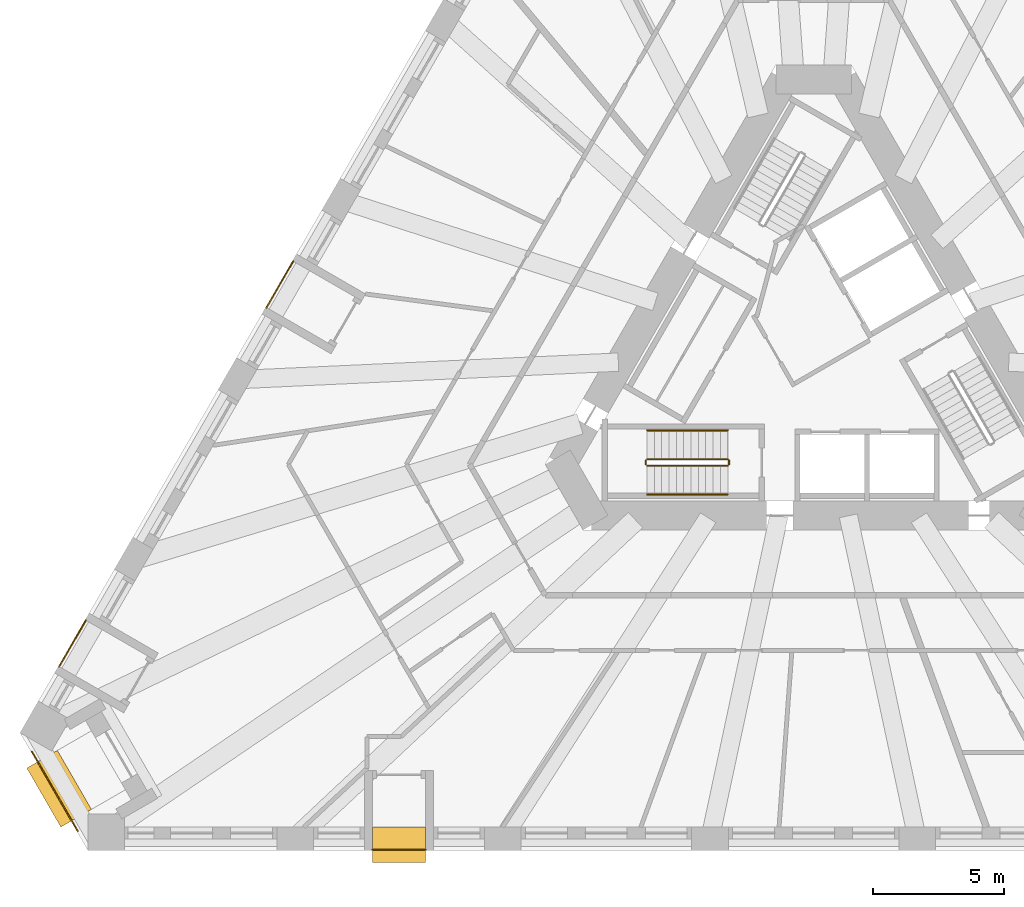
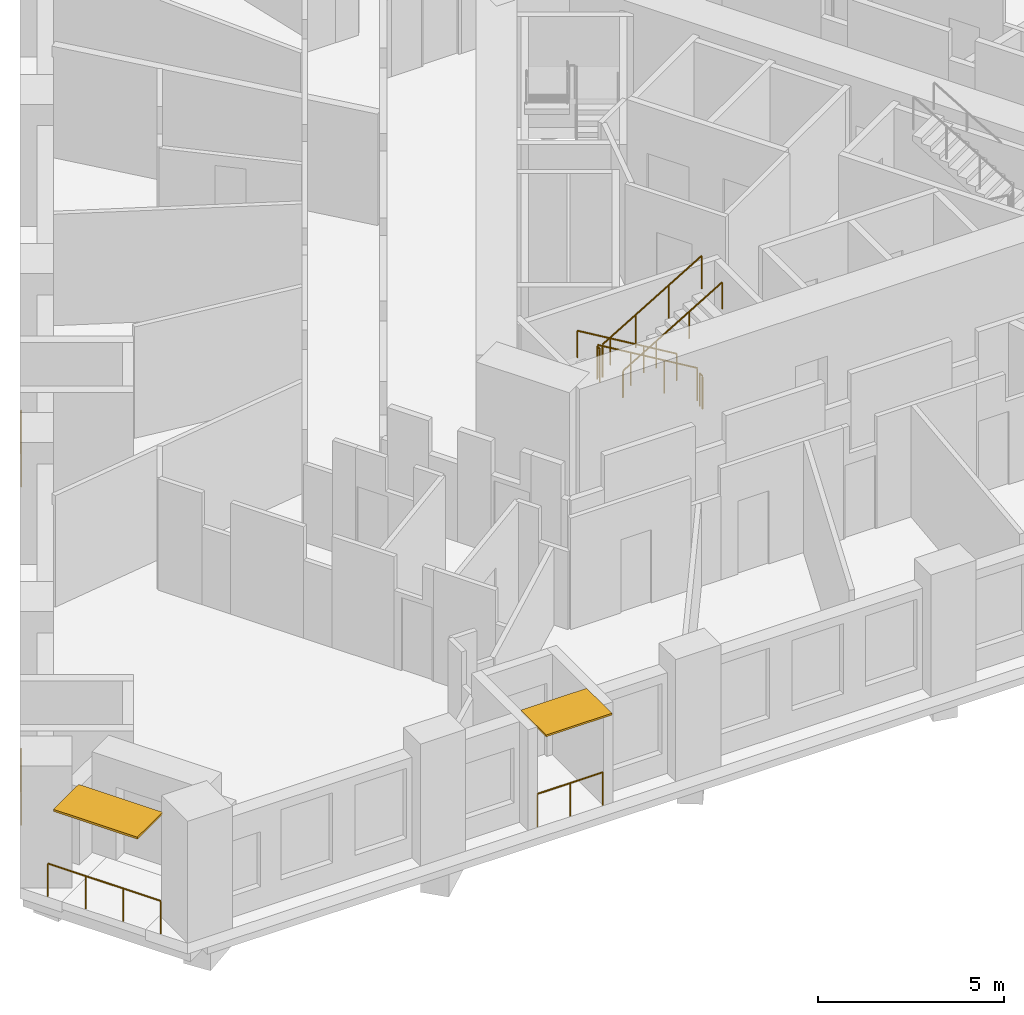
# One storey, part 11 of 14: 10 railings, 2 shading devices.
"""IFC4 building model written with IfcOpenShell, lengths in metres."""

from ifc_helpers import new_model, si_unit, direction, frame, origin, origin_2d, place, context, subcontext, project, spatial, rectangle, circle, extrude, material, layer, layer_set, type_object, element, save


model = new_model("IFC4")

# Units and contexts
model_context = context("Model", 3, precision=1e-05, world=origin(), true_north=direction((0.0, 1.0)))
body_context = subcontext(model_context, "Body", "Model", "MODEL_VIEW")
ifc_project = project(units=[si_unit("LENGTHUNIT", "METRE"), si_unit("AREAUNIT", "SQUARE_METRE"), si_unit("VOLUMEUNIT", "CUBIC_METRE"), si_unit("PLANEANGLEUNIT", "RADIAN"), si_unit("MASSUNIT", "GRAM", prefix="KILO")], contexts=[model_context])

# Site, building, storey
site_placement = place(None, origin())
site = spatial("IfcSite", under=ifc_project, at=site_placement, CompositionType="ELEMENT")
building_placement = place(site_placement, origin())
building = spatial("IfcBuilding", under=site, at=building_placement, Name="Tramontana Tower", CompositionType="ELEMENT")
storey_placement = place(building_placement, frame((0.0, 0.0, 38.0)))
storey = spatial("IfcBuildingStorey", under=building, at=storey_placement, Name="L07", CompositionType="ELEMENT", Elevation=38.0)

# Railings
ifc_material_1 = material(Name="Laminated glass balustrade", Category="glass")
railing_type_1 = type_object("IfcRailingType", Name="GD1 Loggia glass balustrade 1100", PredefinedType="BALUSTRADE", material=ifc_material_1)
for number, where, name in (
    (1, (-19.877685546875, 3.510986328125, 0.0), "Loggia balustrade L07 G0S0.13"),
    (2, (-27.795654296875, -10.203369140625, 0.0), "Loggia balustrade L07 G0S0.19"),
):
    element("IfcRailing", number, at=place(storey_placement, frame(where)), inside=storey, type_object=railing_type_1, Name=name, PredefinedType="BALUSTRADE", context=body_context, shape_type="SweptSolid", body=[
        extrude(circle(Radius=0.02392578125, at=origin_2d()), frame((0.0, 0.0, 1.076171875), z_axis=(-0.499950448838, -0.866054010271, 0.0), x_axis=(0.866054010271, -0.499950448838, 0.0)), (0.0, 0.0, 1.0), 2.039306640625),
        extrude(circle(Radius=0.02099609375, at=origin_2d()), origin(), (0.0, 0.0, 1.0), 1.052001953125),
        extrude(circle(Radius=0.02099609375, at=origin_2d()), frame((-0.509765625, -0.883056640625, 0.0)), (0.0, 0.0, 1.0), 1.052001953125),
        extrude(circle(Radius=0.02099609375, at=origin_2d()), frame((-1.01953125, -1.76611328125, 0.0)), (0.0, 0.0, 1.0), 1.052001953125),
    ])
railing_1_placement = place(storey_placement, frame((-16.85546875, -18.969970703125, 0.0)))
element("IfcRailing", 3, at=railing_1_placement, inside=storey, type_object=railing_type_1, Name="Loggia balustrade L07 G0S1.4", PredefinedType="BALUSTRADE", context=body_context, shape_type="SweptSolid", body=[
    extrude(circle(Radius=0.02392578125, at=origin_2d()), frame((0.0, 0.0, 1.076171875), z_axis=(1.0, 0.0, 0.0), x_axis=(0.0, 1.0, 0.0)), (0.0, 0.0, 1.0), 2.039306640625),
    extrude(circle(Radius=0.02099609375, at=origin_2d()), origin(), (0.0, 0.0, 1.0), 1.052001953125),
    extrude(circle(Radius=0.02099609375, at=origin_2d()), frame((1.01953125, 0.0, 0.0)), (0.0, 0.0, 1.0), 1.052001953125),
    extrude(circle(Radius=0.02099609375, at=origin_2d()), frame((2.039306640625, 0.0, 0.0)), (0.0, 0.0, 1.0), 1.052001953125),
])
railing_2_placement = place(storey_placement, frame((-28.11083984375, -18.25048828125, 0.0)))
element("IfcRailing", 4, at=railing_2_placement, inside=storey, type_object=railing_type_1, Name="Corner loggia balustrade L07 K01", PredefinedType="BALUSTRADE", context=body_context, shape_type="SweptSolid", body=[
    extrude(circle(Radius=0.02392578125, at=origin_2d()), frame((0.0, 0.0, 1.076171875), z_axis=(-0.500010275428, 0.866019471182, 0.0), x_axis=(-0.866019471182, -0.500010275428, 0.0)), (0.0, 0.0, 1.0), 3.5),
    extrude(circle(Radius=0.02099609375, at=origin_2d()), origin(), (0.0, 0.0, 1.0), 1.052001953125),
    extrude(circle(Radius=0.02099609375, at=origin_2d()), frame((-0.583251953125, 1.01025390625, 0.0)), (0.0, 0.0, 1.0), 1.052001953125),
    extrude(circle(Radius=0.02099609375, at=origin_2d()), frame((-1.166748046875, 2.020751953125, 0.0)), (0.0, 0.0, 1.0), 1.052001953125),
    extrude(circle(Radius=0.02099609375, at=origin_2d()), frame((-1.75, 3.031005859375, 0.0)), (0.0, 0.0, 1.0), 1.052001953125),
])

# Shading devices
ifc_material_2 = material(Name="Precast concrete 60 MPa", Category="concrete")
ifc_layer_1 = layer(ifc_material_2, 0.06005859375)
ifc_layer_set_1 = layer_set([ifc_layer_1], Name="SS1 Stone sunshade blade 60")
shading_device_type_1 = type_object("IfcShadingDeviceType", Name="SS1 Stone sunshade blade 60", PredefinedType="USERDEFINED", material=ifc_layer_set_1)
shading_device_1_placement = place(storey_placement, frame((-15.8359375, -18.77490234375, 3.239990234375), z_axis=(0.0, 0.0, 1.0), x_axis=(1.0, 0.0, 0.0)))
element("IfcShadingDevice", 5, at=shading_device_1_placement, inside=storey, type_object=shading_device_type_1, Name="Sunshade L07 G0S1.4", ObjectType="SUNSHADE", PredefinedType="USERDEFINED", context=body_context, shape_type="SweptSolid", body=[
    extrude(rectangle(XDim=2.039306640625, YDim=1.35009765625, at=origin_2d()), origin(), (0.0, 0.0, 1.0), 0.06005859375),
])
ifc_material_3 = material(Name="Precast concrete 60 MPa", Category="concrete")
ifc_layer_2 = layer(ifc_material_3, 0.070068359375)
ifc_layer_set_2 = layer_set([ifc_layer_2], Name="SS2 Stone sunshade blade 70")
shading_device_type_2 = type_object("IfcShadingDeviceType", Name="SS2 Stone sunshade blade 70", PredefinedType="USERDEFINED", material=ifc_layer_set_2)
shading_device_2_placement = place(storey_placement, frame((-28.81689453125, -16.637451171875, 3.22998046875), z_axis=(0.0, 0.0, 1.0), x_axis=(-0.5, 0.866025403784, 0.0)))
element("IfcShadingDevice", 6, at=shading_device_2_placement, inside=storey, type_object=shading_device_type_2, Name="Corner sunshade L07 K01", ObjectType="SUNSHADE", PredefinedType="USERDEFINED", context=body_context, shape_type="SweptSolid", body=[
    extrude(rectangle(XDim=2.60009765625, YDim=1.35009765625, at=origin_2d()), origin(), (0.0, 0.0, 1.0), 0.070068359375),
])

# Railings
ifc_material_4 = material(Name="Painted steel", Category="steel")
railing_type_2 = type_object("IfcRailingType", Name="STAIR GUARD 1100", PredefinedType="GUARDRAIL", material=ifc_material_4)
railing_3_placement = place(storey_placement, frame((-3.280029296875, -4.050048828125, 0.166748046875)))
element("IfcRailing", 7, at=railing_3_placement, inside=storey, type_object=railing_type_2, Name="L07 ST2 stair guard 1", PredefinedType="GUARDRAIL", context=body_context, shape_type="SweptSolid", body=[
    extrude(circle(Radius=0.02392578125, at=origin_2d()), frame((0.0, 0.0, 1.076171875), z_axis=(-0.859308565015, 0.0, 0.511457515432), x_axis=(0.0, -1.0, 0.0)), (0.0, 0.0, 1.0), 3.58447265625),
    extrude(circle(Radius=0.02099609375, at=origin_2d()), origin(), (0.0, 0.0, 1.0), 1.052001953125),
    extrude(circle(Radius=0.02099609375, at=origin_2d()), frame((-1.026611328125, 0.0, 0.611083984375)), (0.0, 0.0, 1.0), 1.052001953125),
    extrude(circle(Radius=0.02099609375, at=origin_2d()), frame((-2.053466796875, 0.0, 1.22216796875)), (0.0, 0.0, 1.0), 1.052001953125),
    extrude(circle(Radius=0.02099609375, at=origin_2d()), frame((-3.080078125, 0.0, 1.833251953125)), (0.0, 0.0, 1.0), 1.052001953125),
])
railing_4_placement = place(storey_placement, frame((-6.360107421875, -4.300048828125, 2.166748046875)))
element("IfcRailing", 8, at=railing_4_placement, inside=storey, type_object=railing_type_2, Name="L07 ST2 stair guard 2", PredefinedType="GUARDRAIL", context=body_context, shape_type="SweptSolid", body=[
    extrude(circle(Radius=0.02392578125, at=origin_2d()), frame((0.0, 0.0, 1.076171875), z_axis=(0.859308565015, 0.0, 0.511457515432), x_axis=(0.0, 1.0, 0.0)), (0.0, 0.0, 1.0), 3.58447265625),
    extrude(circle(Radius=0.02099609375, at=origin_2d()), origin(), (0.0, 0.0, 1.0), 1.052001953125),
    extrude(circle(Radius=0.02099609375, at=origin_2d()), frame((1.026611328125, 0.0, 0.611083984375)), (0.0, 0.0, 1.0), 1.052001953125),
    extrude(circle(Radius=0.02099609375, at=origin_2d()), frame((2.053466796875, 0.0, 1.22216796875)), (0.0, 0.0, 1.0), 1.052001953125),
    extrude(circle(Radius=0.02099609375, at=origin_2d()), frame((3.080078125, 0.0, 1.833251953125)), (0.0, 0.0, 1.0), 1.052001953125),
])
for number, where, name in (
    (9, (-6.409912109375, -4.10009765625, 2.0), "L07 ST2 stair guard 3"),
    (10, (-3.22998046875, -4.10009765625, 0.0), "L07 ST2 stair guard 4"),
):
    element("IfcRailing", number, at=place(storey_placement, frame(where)), inside=storey, type_object=railing_type_2, Name=name, PredefinedType="GUARDRAIL", context=body_context, shape_type="SweptSolid", body=[
        extrude(circle(Radius=0.02392578125, at=origin_2d()), frame((0.0, 0.0, 1.076171875), z_axis=(0.0, -1.0, 0.0), x_axis=(1.0, 0.0, 0.0)), (0.0, 0.0, 1.0), 0.14990234375),
        extrude(circle(Radius=0.02099609375, at=origin_2d()), origin(), (0.0, 0.0, 1.0), 1.052001953125),
        extrude(circle(Radius=0.02099609375, at=origin_2d()), frame((0.0, -0.14990234375, 0.0)), (0.0, 0.0, 1.0), 1.052001953125),
    ])
ifc_material_5 = material(Name="Painted steel", Category="steel")
railing_type_3 = type_object("IfcRailingType", Name="STAIR HANDRAIL 900", PredefinedType="HANDRAIL", material=ifc_material_5)
railing_5_placement = place(storey_placement, frame((-3.280029296875, -2.949951171875, 0.166748046875)))
element("IfcRailing", 11, at=railing_5_placement, inside=storey, type_object=railing_type_3, Name="L07 ST2 stair handrail 1", PredefinedType="HANDRAIL", context=body_context, shape_type="SweptSolid", body=[
    extrude(circle(Radius=0.02392578125, at=origin_2d()), frame((0.0, 0.0, 0.8759765625), z_axis=(-0.859308565015, 0.0, 0.511457515432), x_axis=(0.0, -1.0, 0.0)), (0.0, 0.0, 1.0), 3.58447265625),
    extrude(circle(Radius=0.02099609375, at=origin_2d()), origin(), (0.0, 0.0, 1.0), 0.851806640625),
    extrude(circle(Radius=0.02099609375, at=origin_2d()), frame((-1.026611328125, 0.0, 0.611083984375)), (0.0, 0.0, 1.0), 0.851806640625),
    extrude(circle(Radius=0.02099609375, at=origin_2d()), frame((-2.053466796875, 0.0, 1.22216796875)), (0.0, 0.0, 1.0), 0.851806640625),
    extrude(circle(Radius=0.02099609375, at=origin_2d()), frame((-3.080078125, 0.0, 1.833251953125)), (0.0, 0.0, 1.0), 0.851806640625),
])
railing_6_placement = place(storey_placement, frame((-6.360107421875, -5.39990234375, 2.166748046875)))
element("IfcRailing", 12, at=railing_6_placement, inside=storey, type_object=railing_type_3, Name="L07 ST2 stair handrail 2", PredefinedType="HANDRAIL", context=body_context, shape_type="SweptSolid", body=[
    extrude(circle(Radius=0.02392578125, at=origin_2d()), frame((0.0, 0.0, 0.8759765625), z_axis=(0.859308565015, 0.0, 0.511457515432), x_axis=(0.0, 1.0, 0.0)), (0.0, 0.0, 1.0), 3.58447265625),
    extrude(circle(Radius=0.02099609375, at=origin_2d()), origin(), (0.0, 0.0, 1.0), 0.851806640625),
    extrude(circle(Radius=0.02099609375, at=origin_2d()), frame((1.026611328125, 0.0, 0.611083984375)), (0.0, 0.0, 1.0), 0.851806640625),
    extrude(circle(Radius=0.02099609375, at=origin_2d()), frame((2.053466796875, 0.0, 1.22216796875)), (0.0, 0.0, 1.0), 0.851806640625),
    extrude(circle(Radius=0.02099609375, at=origin_2d()), frame((3.080078125, 0.0, 1.833251953125)), (0.0, 0.0, 1.0), 0.851806640625),
])

save(model, "model.ifc")
